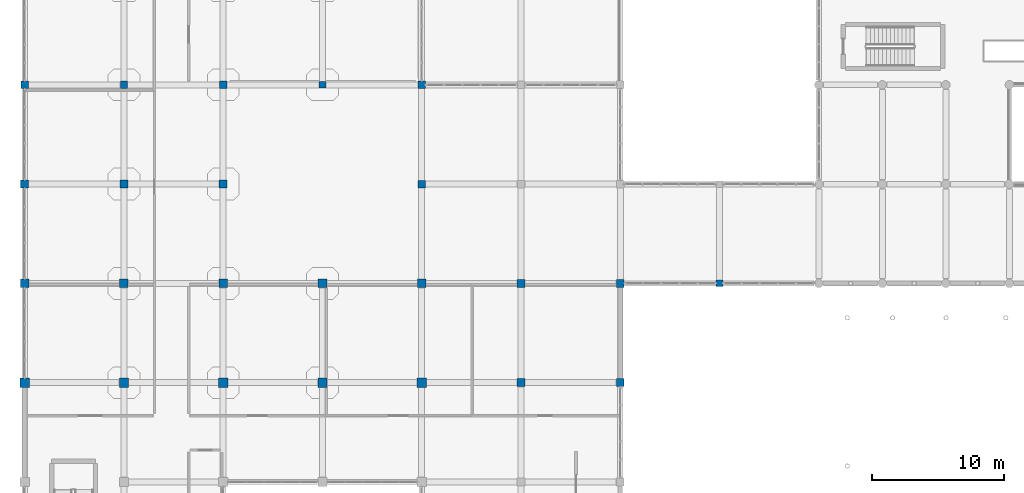
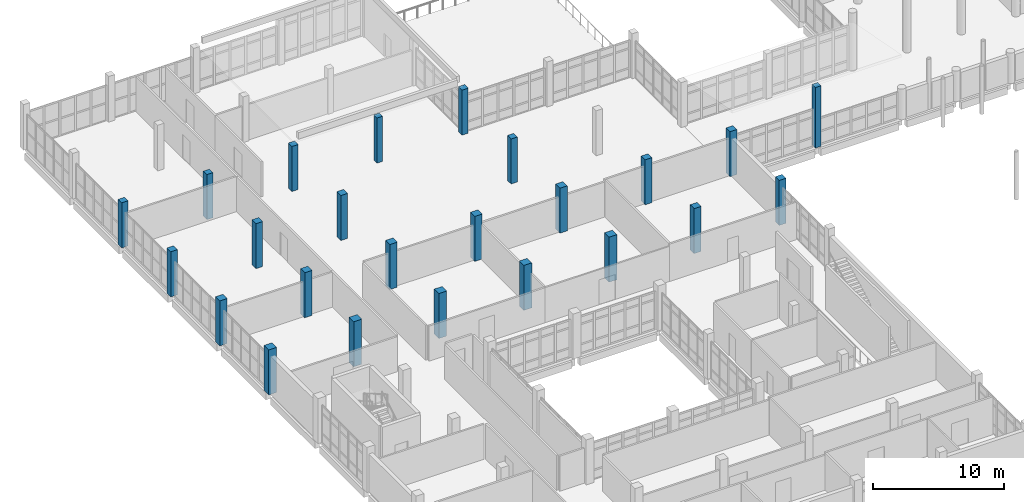
# One storey, part 3 of 164: 24 columns.
"""IFC4 building model written with IfcOpenShell, lengths in metres."""

from ifc_helpers import new_model, si_unit, direction, frame, origin, origin_2d, place, context, subcontext, project, spatial, rectangle, extrude, material, material_profile, profile_set, type_object, element, save


model = new_model("IFC4")

# Units and contexts
model_context = context("Model", 3, precision=1e-05, world=origin(), true_north=direction((0.0, 1.0)))
body_context = subcontext(model_context, "Body", "Model", "MODEL_VIEW")
ifc_project = project(units=[si_unit("LENGTHUNIT", "METRE"), si_unit("AREAUNIT", "SQUARE_METRE"), si_unit("VOLUMEUNIT", "CUBIC_METRE"), si_unit("PLANEANGLEUNIT", "RADIAN"), si_unit("MASSUNIT", "GRAM", prefix="KILO")], contexts=[model_context])

# Site, building, storey
site_placement = place(None, origin())
site = spatial("IfcSite", under=ifc_project, at=site_placement, CompositionType="ELEMENT")
building_placement = place(site_placement, origin())
building = spatial("IfcBuilding", under=site, at=building_placement, Name="Mawjan Specialist Oncology Clinic", CompositionType="ELEMENT")
storey_placement = place(building_placement, frame((0.0, 0.0, 5.0)))
storey = spatial("IfcBuildingStorey", under=building, at=storey_placement, Name="L01", CompositionType="ELEMENT", Elevation=5.0)

# Columns
ifc_material_1 = material(Name="Concrete C45/55", Category="concrete")
ifc_material_profile_1 = material_profile(ifc_material_1, rectangle(XDim=0.5, YDim=0.5, at=origin_2d()), Name="RC COL 500x500", Category="concrete")
ifc_profile_set_1 = profile_set([ifc_material_profile_1], Name="Concrete C45/55")
column_type_1 = type_object("IfcColumnType", Name="C-500", PredefinedType="COLUMN", material=ifc_profile_set_1)
column_1_placement = place(storey_placement, frame((22.5, 60.800048828125, 0.0), z_axis=(0.0, 0.0, 1.0), x_axis=(1.0, 0.0, 0.0)))
element("IfcColumn", 1, at=column_1_placement, inside=storey, type_object=column_type_1, Name="L01 Column G-4-J", PredefinedType="COLUMN", context=body_context, shape_type="SweptSolid", body=[
    extrude(rectangle(XDim=0.5, YDim=0.5, at=origin_2d()), origin(), (0.0, 0.0, 1.0), 4.199951171875),
])
column_2_placement = place(storey_placement, frame((52.5, 45.800048828125, 0.0), z_axis=(0.0, 0.0, 1.0), x_axis=(1.0, 0.0, 0.0)))
element("IfcColumn", 2, at=column_2_placement, inside=storey, type_object=column_type_1, Name="L01 Column G-8-G", PredefinedType="COLUMN", context=body_context, shape_type="SweptSolid", body=[
    extrude(rectangle(XDim=0.5, YDim=0.5, at=origin_2d()), origin(), (0.0, 0.0, 1.0), 5.635986328125),
])
ifc_material_2 = material(Name="Concrete C45/55", Category="concrete")
ifc_material_profile_2 = material_profile(ifc_material_2, rectangle(XDim=0.550048828125, YDim=0.550048828125, at=origin_2d()), Name="RC COL 550x550", Category="concrete")
ifc_profile_set_2 = profile_set([ifc_material_profile_2], Name="Concrete C45/55")
column_type_2 = type_object("IfcColumnType", Name="C-550", PredefinedType="COLUMN", material=ifc_profile_set_2)
for number, where, z_axis, x_axis, name in (
    (3, (0.0, 60.800048828125, 0.0), (0.0, 0.0, 1.0), (1.0, 0.0, 0.0), "L01 Column G-1-J"),
    (4, (7.5, 60.800048828125, 0.0), (0.0, 0.0, 1.0), (1.0, 0.0, 0.0), "L01 Column G-2-J"),
    (5, (15.0, 60.800048828125, 0.0), (0.0, 0.0, 1.0), (1.0, 0.0, 0.0), "L01 Column G-3-J"),
    (6, (30.0, 53.300048828125, 0.0), (0.0, 0.0, 1.0), (1.0, 0.0, 0.0), "L01 Column G-5-H"),
    (7, (30.0, 60.800048828125, 0.0), (0.0, 0.0, 1.0), (1.0, 0.0, 0.0), "L01 Column G-5-J"),
):
    element("IfcColumn", number, at=place(storey_placement, frame(where, z_axis=z_axis, x_axis=x_axis)), inside=storey, type_object=column_type_2, Name=name, PredefinedType="COLUMN", context=body_context, shape_type="SweptSolid", body=[
        extrude(rectangle(XDim=0.550048828125, YDim=0.550048828125, at=origin_2d()), origin(), (0.0, 0.0, 1.0), 4.199951171875),
    ])
ifc_material_3 = material(Name="Concrete C45/55", Category="concrete")
ifc_material_profile_3 = material_profile(ifc_material_3, rectangle(XDim=0.60009765625, YDim=0.60009765625, at=origin_2d()), Name="RC COL 600x600", Category="concrete")
ifc_profile_set_3 = profile_set([ifc_material_profile_3], Name="Concrete C45/55")
column_type_3 = type_object("IfcColumnType", Name="C-600", PredefinedType="COLUMN", material=ifc_profile_set_3)
for number, where, z_axis, x_axis, name in (
    (8, (0.0, 53.300048828125, 0.0), (0.0, 0.0, 1.0), (1.0, 0.0, 0.0), "L01 Column G-1-H"),
    (9, (7.5, 53.300048828125, 0.0), (0.0, 0.0, 1.0), (1.0, 0.0, 0.0), "L01 Column G-2-H"),
    (10, (15.0, 53.300048828125, 0.0), (0.0, 0.0, 1.0), (1.0, 0.0, 0.0), "L01 Column G-3-H"),
    (11, (37.5, 38.300048828125, 0.0), (0.0, 0.0, 1.0), (1.0, 0.0, 0.0), "L01 Column G-6-F"),
    (12, (37.5, 45.800048828125, 0.0), (0.0, 0.0, 1.0), (1.0, 0.0, 0.0), "L01 Column G-6-G"),
    (13, (45.0, 38.300048828125, 0.0), (0.0, 0.0, 1.0), (1.0, 0.0, 0.0), "L01 Column G-7-F"),
    (14, (45.0, 45.800048828125, 0.0), (0.0, 0.0, 1.0), (1.0, 0.0, 0.0), "L01 Column G-7-G"),
):
    element("IfcColumn", number, at=place(storey_placement, frame(where, z_axis=z_axis, x_axis=x_axis)), inside=storey, type_object=column_type_3, Name=name, PredefinedType="COLUMN", context=body_context, shape_type="SweptSolid", body=[
        extrude(rectangle(XDim=0.60009765625, YDim=0.60009765625, at=origin_2d()), origin(), (0.0, 0.0, 1.0), 4.199951171875),
    ])
ifc_material_4 = material(Name="Concrete C45/55", Category="concrete")
ifc_material_profile_4 = material_profile(ifc_material_4, rectangle(XDim=0.64990234375, YDim=0.64990234375, at=origin_2d()), Name="RC COL 650x650", Category="concrete")
ifc_profile_set_4 = profile_set([ifc_material_profile_4], Name="Concrete C45/55")
column_type_4 = type_object("IfcColumnType", Name="C-650", PredefinedType="COLUMN", material=ifc_profile_set_4)
for number, where, z_axis, x_axis, name in (
    (15, (0.0, 45.800048828125, 0.0), (0.0, 0.0, 1.0), (1.0, 0.0, 0.0), "L01 Column G-1-G"),
    (16, (7.5, 45.800048828125, 0.0), (0.0, 0.0, 1.0), (1.0, 0.0, 0.0), "L01 Column G-2-G"),
    (17, (15.0, 45.800048828125, 0.0), (0.0, 0.0, 1.0), (1.0, 0.0, 0.0), "L01 Column G-3-G"),
    (18, (22.5, 45.800048828125, 0.0), (0.0, 0.0, 1.0), (1.0, 0.0, 0.0), "L01 Column G-4-G"),
    (19, (30.0, 45.800048828125, 0.0), (0.0, 0.0, 1.0), (1.0, 0.0, 0.0), "L01 Column G-5-G"),
):
    element("IfcColumn", number, at=place(storey_placement, frame(where, z_axis=z_axis, x_axis=x_axis)), inside=storey, type_object=column_type_4, Name=name, PredefinedType="COLUMN", context=body_context, shape_type="SweptSolid", body=[
        extrude(rectangle(XDim=0.64990234375, YDim=0.64990234375, at=origin_2d()), origin(), (0.0, 0.0, 1.0), 4.199951171875),
    ])
ifc_material_5 = material(Name="Concrete C45/55", Category="concrete")
ifc_material_profile_5 = material_profile(ifc_material_5, rectangle(XDim=0.699951171875, YDim=0.699951171875, at=origin_2d()), Name="RC COL 700x700", Category="concrete")
ifc_profile_set_5 = profile_set([ifc_material_profile_5], Name="Concrete C45/55")
column_type_5 = type_object("IfcColumnType", Name="C-700", PredefinedType="COLUMN", material=ifc_profile_set_5)
for number, where, z_axis, x_axis, name in (
    (20, (0.0, 38.300048828125, 0.0), (0.0, 0.0, 1.0), (1.0, 0.0, 0.0), "L01 Column G-1-F"),
    (21, (7.5, 38.300048828125, 0.0), (0.0, 0.0, 1.0), (1.0, 0.0, 0.0), "L01 Column G-2-F"),
    (22, (15.0, 38.300048828125, 0.0), (0.0, 0.0, 1.0), (1.0, 0.0, 0.0), "L01 Column G-3-F"),
    (23, (22.5, 38.300048828125, 0.0), (0.0, 0.0, 1.0), (1.0, 0.0, 0.0), "L01 Column G-4-F"),
    (24, (30.0, 38.300048828125, 0.0), (0.0, 0.0, 1.0), (1.0, 0.0, 0.0), "L01 Column G-5-F"),
):
    element("IfcColumn", number, at=place(storey_placement, frame(where, z_axis=z_axis, x_axis=x_axis)), inside=storey, type_object=column_type_5, Name=name, PredefinedType="COLUMN", context=body_context, shape_type="SweptSolid", body=[
        extrude(rectangle(XDim=0.699951171875, YDim=0.699951171875, at=origin_2d()), origin(), (0.0, 0.0, 1.0), 4.199951171875),
    ])

save(model, "model.ifc")
